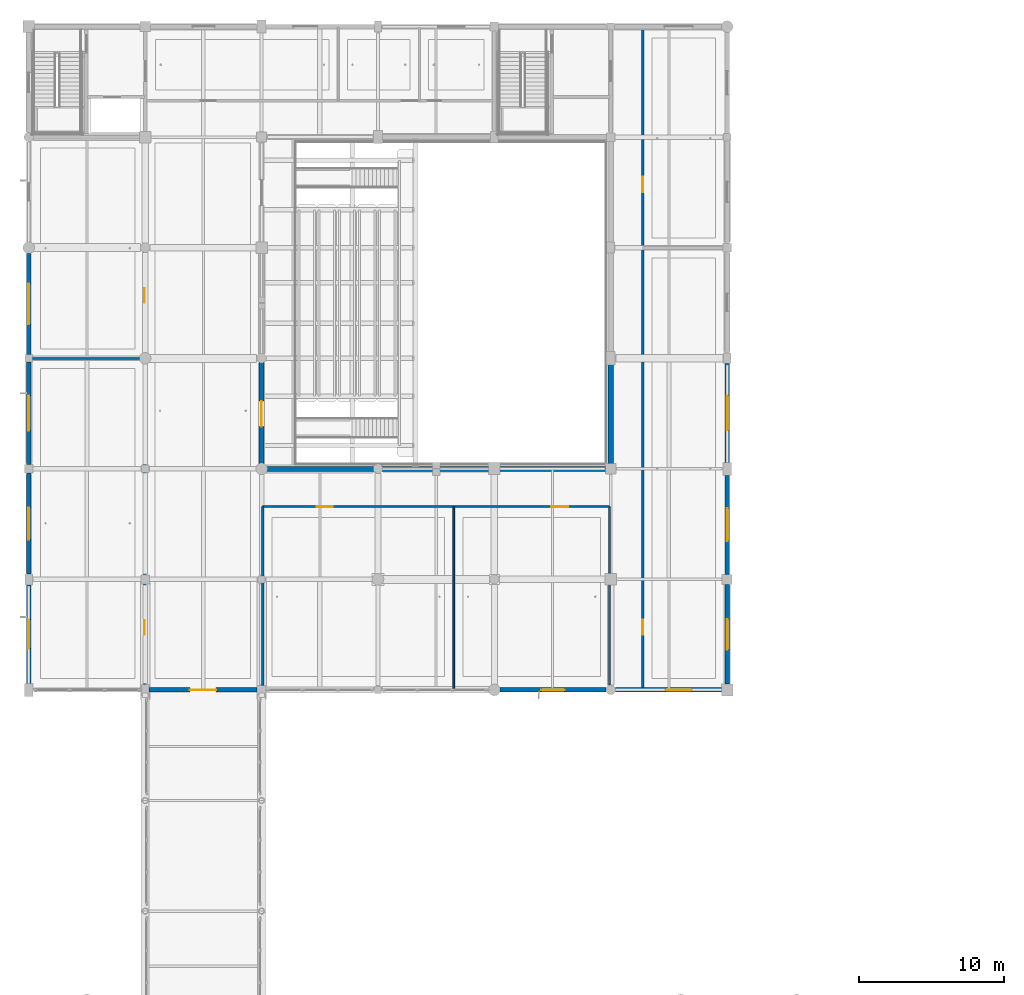
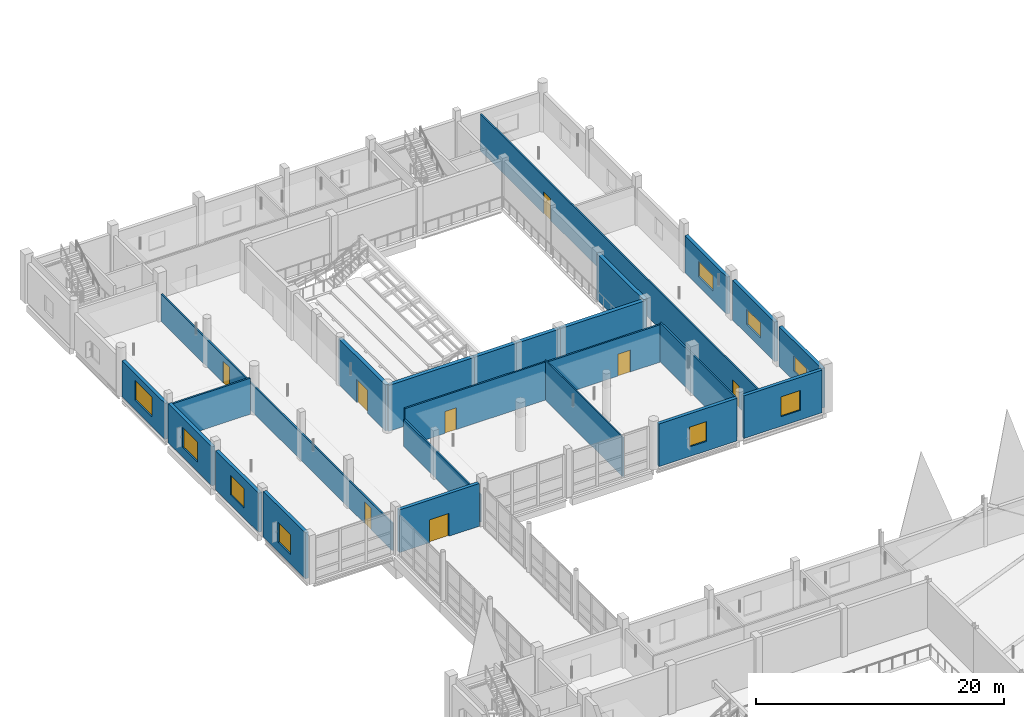
# One storey, part 89 of 147: 23 walls, 9 windows, 8 doors, 17 openings.
"""IFC4 building model written with IfcOpenShell, lengths in metres."""

from ifc_helpers import new_model, si_unit, direction, frame, frame_2d, origin, place, context, subcontext, project, spatial, rectangle, extrude, material, layer, layer_set, type_object, element, fill, save


model = new_model("IFC4")

# Units and contexts
model_context = context("Model", 3, precision=1e-05, world=origin(), true_north=direction((0.0, 1.0)))
body_context = subcontext(model_context, "Body", "Model", "MODEL_VIEW")
ifc_project = project(units=[si_unit("LENGTHUNIT", "METRE"), si_unit("AREAUNIT", "SQUARE_METRE"), si_unit("VOLUMEUNIT", "CUBIC_METRE"), si_unit("PLANEANGLEUNIT", "RADIAN"), si_unit("MASSUNIT", "GRAM", prefix="KILO")], contexts=[model_context])

# Site, building, storey
site_placement = place(None, origin())
site = spatial("IfcSite", under=ifc_project, at=site_placement, CompositionType="ELEMENT")
building_placement = place(site_placement, origin())
building = spatial("IfcBuilding", under=site, at=building_placement, Name="Khelvaren Railside Concert Hall", CompositionType="ELEMENT")
storey_placement = place(building_placement, frame((0.0, 0.0, 5.39990234375)))
storey = spatial("IfcBuildingStorey", under=building, at=storey_placement, Name="L01", CompositionType="ELEMENT", Elevation=5.39990234375)

# Wall, opening, door
ifc_material_1 = material(Name="Board-marked architectural concrete C40/50", Category="concrete")
ifc_layer_1 = layer(ifc_material_1, 0.31005859375)
ifc_layer_set_1 = layer_set([ifc_layer_1], Name="Board-marked architectural concrete C40/50")
wall_type_1 = type_object("IfcWallType", Name="EW33", PredefinedType="SOLIDWALL", material=ifc_layer_set_1)
wall_1_placement = place(storey_placement, frame((15.699951171875, 68.39990234375, 0.0), z_axis=(0.0, 0.0, 1.0), x_axis=(-1.0, 0.0, 0.0)))
wall_1 = element("IfcWall", 1, at=wall_1_placement, inside=storey, type_object=wall_type_1, Name="V4 L01 Bridge Portal Wall S", PredefinedType="SOLIDWALL", context=body_context, shape_type="SweptSolid", body=[
    extrude(rectangle(XDim=7.449951171875, YDim=0.31005859375, at=frame_2d((3.72509765625, 0.0))), origin(), (0.0, 0.0, 1.0), 4.2001953125),
])
opening_1_placement = place(wall_1_placement, frame((2.824951171875, 0.0, 0.0)))
opening_1 = element("IfcOpeningElement", 2, at=opening_1_placement, cuts=wall_1, Name="Opening DR64", PredefinedType="OPENING", context=body_context, shape_type="SweptSolid", body=[
    extrude(rectangle(XDim=1.800048828125, YDim=2.25, at=frame_2d((0.89990234375, 1.125))), frame((0.0, 0.1650390625, 0.0), z_axis=(0.0, -1.0, 0.0), x_axis=(1.0, 0.0, 0.0)), (0.0, 0.0, 1.0), 0.330078125),
])
ifc_material_2 = material(Name="Glazed fire-rated steel frame door", Category="steel")
door_type_1 = type_object("IfcDoorType", Name="DR64", OperationType="DOUBLE_DOOR_SINGLE_SWING", PredefinedType="DOOR", material=ifc_material_2)
door_1_placement = place(opening_1_placement, origin())
door_1 = element("IfcDoor", 3, at=door_1_placement, inside=storey, type_object=door_type_1, Name="V4 L01 Link Bridge Portal Door", OperationType="DOUBLE_DOOR_SINGLE_SWING", OverallHeight=2.25, OverallWidth=1.800048828125, PredefinedType="DOOR", context=body_context, shape_type="SweptSolid", body=[
    extrude(rectangle(XDim=1.800048828125, YDim=2.25, at=frame_2d((0.89990234375, 1.125))), frame((0.0, 0.02490234375, 0.0), z_axis=(0.0, -1.0, 0.0), x_axis=(1.0, 0.0, 0.0)), (0.0, 0.0, 1.0), 0.050048828125),
])
fill(opening_1, door_1)

# Wall, opening, window
wall_2_placement = place(storey_placement, frame((39.675048828125, 68.39990234375, 0.0), z_axis=(0.0, 0.0, 1.0), x_axis=(-1.0, 0.0, 0.0)))
wall_2 = element("IfcWall", 4, at=wall_2_placement, inside=storey, type_object=wall_type_1, Name="V4 L01 Exterior Concrete Wall S-32", PredefinedType="SOLIDWALL", context=body_context, shape_type="SweptSolid", body=[
    extrude(rectangle(XDim=7.275146484375, YDim=0.31005859375, at=frame_2d((3.6376953125, 0.0))), origin(), (0.0, 0.0, 1.0), 4.2001953125),
])
opening_2_placement = place(wall_2_placement, frame((2.83740234375, 0.0, 0.949951171875)))
opening_2 = element("IfcOpeningElement", 5, at=opening_2_placement, cuts=wall_2, Name="Opening WN94", PredefinedType="OPENING", context=body_context, shape_type="SweptSolid", body=[
    extrude(rectangle(XDim=1.60009765625, YDim=1.949951171875, at=frame_2d((0.800048828125, 0.97509765625))), frame((0.0, 0.1650390625, 0.0), z_axis=(0.0, -1.0, 0.0), x_axis=(1.0, 0.0, 0.0)), (0.0, 0.0, 1.0), 0.330078125),
])
ifc_material_3 = material(Name="Triple-glazed acoustic aluminium window", Category="aluminium")
window_type_1 = type_object("IfcWindowType", Name="WN94", PartitioningType="SINGLE_PANEL", PredefinedType="WINDOW", material=ifc_material_3)
window_1_placement = place(opening_2_placement, origin())
window_1 = element("IfcWindow", 6, at=window_1_placement, inside=storey, type_object=window_type_1, Name="Acoustic Facade Window EW-V4-L01-S-32", OverallHeight=1.949951171875, OverallWidth=1.60009765625, PartitioningType="SINGLE_PANEL", PredefinedType="WINDOW", context=body_context, shape_type="SweptSolid", body=[
    extrude(rectangle(XDim=1.60009765625, YDim=1.949951171875, at=frame_2d((0.800048828125, 0.97509765625))), frame((0.0, 0.030029296875, 0.0), z_axis=(0.0, -1.0, 0.0), x_axis=(1.0, 0.0, 0.0)), (0.0, 0.0, 1.0), 0.06005859375),
])
fill(opening_2, window_1)

wall_3_placement = place(storey_placement, frame((47.60009765625, 68.39990234375, 0.0), z_axis=(0.0, 0.0, 1.0), x_axis=(-1.0, 0.0, 0.0)))
wall_3 = element("IfcWall", 7, at=wall_3_placement, inside=storey, type_object=wall_type_1, Name="V4 L01 Exterior Concrete Wall S-40", PredefinedType="SOLIDWALL", context=body_context, shape_type="SweptSolid", body=[
    extrude(rectangle(XDim=7.275146484375, YDim=0.31005859375, at=frame_2d((3.6376953125, 0.0))), origin(), (0.0, 0.0, 1.0), 4.2001953125),
])
opening_3_placement = place(wall_3_placement, frame((2.02490234375, 0.0, 0.949951171875)))
opening_3 = element("IfcOpeningElement", 8, at=opening_3_placement, cuts=wall_3, Name="Opening WN45", PredefinedType="OPENING", context=body_context, shape_type="SweptSolid", body=[
    extrude(rectangle(XDim=1.800048828125, YDim=1.949951171875, at=frame_2d((0.89990234375, 0.97509765625))), frame((0.0, 0.1650390625, 0.0), z_axis=(0.0, -1.0, 0.0), x_axis=(1.0, 0.0, 0.0)), (0.0, 0.0, 1.0), 0.330078125),
])
window_type_2 = type_object("IfcWindowType", Name="WN45", PartitioningType="DOUBLE_PANEL_VERTICAL", PredefinedType="WINDOW", material=ifc_material_3)
window_2_placement = place(opening_3_placement, origin())
window_2 = element("IfcWindow", 9, at=window_2_placement, inside=storey, type_object=window_type_2, Name="Acoustic Facade Window EW-V4-L01-S-40", OverallHeight=1.949951171875, OverallWidth=1.800048828125, PartitioningType="DOUBLE_PANEL_VERTICAL", PredefinedType="WINDOW", context=body_context, shape_type="SweptSolid", body=[
    extrude(rectangle(XDim=1.800048828125, YDim=1.949951171875, at=frame_2d((0.89990234375, 0.97509765625))), frame((0.0, 0.030029296875, 0.0), z_axis=(0.0, -1.0, 0.0), x_axis=(1.0, 0.0, 0.0)), (0.0, 0.0, 1.0), 0.06005859375),
])
fill(opening_3, window_2)

wall_4_placement = place(storey_placement, frame((0.0, 68.85009765625, 0.0), z_axis=(0.0, 0.0, 1.0), x_axis=(0.0, 1.0, 0.0)))
wall_4 = element("IfcWall", 10, at=wall_4_placement, inside=storey, type_object=wall_type_1, Name="V4 L01 Exterior Concrete Wall W-68", PredefinedType="SOLIDWALL", context=body_context, shape_type="SweptSolid", body=[
    extrude(rectangle(XDim=6.77490234375, YDim=0.31005859375, at=frame_2d((3.387451171875, 0.0))), origin(), (0.0, 0.0, 1.0), 4.510009765625),
])
opening_4_placement = place(wall_4_placement, frame((2.387451171875, 0.0, 0.949951171875)))
opening_4 = element("IfcOpeningElement", 11, at=opening_4_placement, cuts=wall_4, Name="Opening WN46", PredefinedType="OPENING", context=body_context, shape_type="SweptSolid", body=[
    extrude(rectangle(XDim=2.0, YDim=1.949951171875, at=frame_2d((1.0, 0.97509765625))), frame((0.0, 0.1650390625, 0.0), z_axis=(0.0, -1.0, 0.0), x_axis=(1.0, 0.0, 0.0)), (0.0, 0.0, 1.0), 0.330078125),
])
window_type_3 = type_object("IfcWindowType", Name="WN46", PartitioningType="DOUBLE_PANEL_VERTICAL", PredefinedType="WINDOW", material=ifc_material_3)
window_3_placement = place(opening_4_placement, origin())
window_3 = element("IfcWindow", 12, at=window_3_placement, inside=storey, type_object=window_type_3, Name="Acoustic Facade Window EW-V4-L01-W-68", OverallHeight=1.949951171875, OverallWidth=2.0, PartitioningType="DOUBLE_PANEL_VERTICAL", PredefinedType="WINDOW", context=body_context, shape_type="SweptSolid", body=[
    extrude(rectangle(XDim=2.0, YDim=1.949951171875, at=frame_2d((1.0, 0.97509765625))), frame((0.0, 0.030029296875, 0.0), z_axis=(0.0, -1.0, 0.0), x_axis=(1.0, 0.0, 0.0)), (0.0, 0.0, 1.0), 0.06005859375),
])
fill(opening_4, window_3)

wall_5_placement = place(storey_placement, frame((0.0, 76.375, 0.0), z_axis=(0.0, 0.0, 1.0), x_axis=(0.0, 1.0, 0.0)))
wall_5 = element("IfcWall", 13, at=wall_5_placement, inside=storey, type_object=wall_type_1, Name="V4 L01 Exterior Concrete Wall W-76", PredefinedType="SOLIDWALL", context=body_context, shape_type="SweptSolid", body=[
    extrude(rectangle(XDim=6.925048828125, YDim=0.31005859375, at=frame_2d((3.46240234375, 0.0))), origin(), (0.0, 0.0, 1.0), 3.85009765625),
])
opening_5_placement = place(wall_5_placement, frame((2.362548828125, 0.0, 0.949951171875)))
opening_5 = element("IfcOpeningElement", 14, at=opening_5_placement, cuts=wall_5, Name="Opening WN17", PredefinedType="OPENING", context=body_context, shape_type="SweptSolid", body=[
    extrude(rectangle(XDim=2.199951171875, YDim=1.949951171875, at=frame_2d((1.10009765625, 0.97509765625))), frame((0.0, 0.1650390625, 0.0), z_axis=(0.0, -1.0, 0.0), x_axis=(1.0, 0.0, 0.0)), (0.0, 0.0, 1.0), 0.330078125),
])
window_type_4 = type_object("IfcWindowType", Name="WN17", PartitioningType="DOUBLE_PANEL_VERTICAL", PredefinedType="WINDOW", material=ifc_material_3)
window_4_placement = place(opening_5_placement, origin())
window_4 = element("IfcWindow", 15, at=window_4_placement, inside=storey, type_object=window_type_4, Name="Acoustic Facade Window EW-V4-L01-W-76", OverallHeight=1.949951171875, OverallWidth=2.199951171875, PartitioningType="DOUBLE_PANEL_VERTICAL", PredefinedType="WINDOW", context=body_context, shape_type="SweptSolid", body=[
    extrude(rectangle(XDim=2.199951171875, YDim=1.949951171875, at=frame_2d((1.10009765625, 0.97509765625))), frame((0.0, 0.030029296875, 0.0), z_axis=(0.0, -1.0, 0.0), x_axis=(1.0, 0.0, 0.0)), (0.0, 0.0, 1.0), 0.06005859375),
])
fill(opening_5, window_4)

wall_6_placement = place(storey_placement, frame((0.0, 83.89990234375, 0.0), z_axis=(0.0, 0.0, 1.0), x_axis=(0.0, 1.0, 0.0)))
wall_6 = element("IfcWall", 16, at=wall_6_placement, inside=storey, type_object=wall_type_1, Name="V4 L01 Exterior Concrete Wall W-84", PredefinedType="SOLIDWALL", context=body_context, shape_type="SweptSolid", body=[
    extrude(rectangle(XDim=7.050048828125, YDim=0.31005859375, at=frame_2d((3.52490234375, 0.0))), origin(), (0.0, 0.0, 1.0), 3.85009765625),
])
opening_6_placement = place(wall_6_placement, frame((2.324951171875, 0.0, 0.949951171875)))
opening_6 = element("IfcOpeningElement", 17, at=opening_6_placement, cuts=wall_6, Name="Opening WN77", PredefinedType="OPENING", context=body_context, shape_type="SweptSolid", body=[
    extrude(rectangle(XDim=2.39990234375, YDim=1.949951171875, at=frame_2d((1.199951171875, 0.97509765625))), frame((0.0, 0.1650390625, 0.0), z_axis=(0.0, -1.0, 0.0), x_axis=(1.0, 0.0, 0.0)), (0.0, 0.0, 1.0), 0.330078125),
])
window_type_5 = type_object("IfcWindowType", Name="WN77", PartitioningType="DOUBLE_PANEL_VERTICAL", PredefinedType="WINDOW", material=ifc_material_3)
window_5_placement = place(opening_6_placement, origin())
window_5 = element("IfcWindow", 18, at=window_5_placement, inside=storey, type_object=window_type_5, Name="Acoustic Facade Window EW-V4-L01-W-84", OverallHeight=1.949951171875, OverallWidth=2.39990234375, PartitioningType="DOUBLE_PANEL_VERTICAL", PredefinedType="WINDOW", context=body_context, shape_type="SweptSolid", body=[
    extrude(rectangle(XDim=2.39990234375, YDim=1.949951171875, at=frame_2d((1.199951171875, 0.97509765625))), frame((0.0, 0.030029296875, 0.0), z_axis=(0.0, -1.0, 0.0), x_axis=(1.0, 0.0, 0.0)), (0.0, 0.0, 1.0), 0.06005859375),
])
fill(opening_6, window_5)

wall_7_placement = place(storey_placement, frame((0.0, 91.449951171875, 0.0), z_axis=(0.0, 0.0, 1.0), x_axis=(0.0, 1.0, 0.0)))
wall_7 = element("IfcWall", 19, at=wall_7_placement, inside=storey, type_object=wall_type_1, Name="V4 L01 Exterior Concrete Wall W-91", PredefinedType="SOLIDWALL", context=body_context, shape_type="SweptSolid", body=[
    extrude(rectangle(XDim=6.949951171875, YDim=0.31005859375, at=frame_2d((3.47509765625, 0.0))), origin(), (0.0, 0.0, 1.0), 3.550048828125),
])
opening_7_placement = place(wall_7_placement, frame((2.074951171875, 0.0, 0.949951171875)))
opening_7 = element("IfcOpeningElement", 20, at=opening_7_placement, cuts=wall_7, Name="Opening WN18", PredefinedType="OPENING", context=body_context, shape_type="SweptSolid", body=[
    extrude(rectangle(XDim=2.800048828125, YDim=1.949951171875, at=frame_2d((1.39990234375, 0.97509765625))), frame((0.0, 0.1650390625, 0.0), z_axis=(0.0, -1.0, 0.0), x_axis=(1.0, 0.0, 0.0)), (0.0, 0.0, 1.0), 0.330078125),
])
window_type_6 = type_object("IfcWindowType", Name="WN18", PartitioningType="DOUBLE_PANEL_VERTICAL", PredefinedType="WINDOW", material=ifc_material_3)
window_6_placement = place(opening_7_placement, origin())
window_6 = element("IfcWindow", 21, at=window_6_placement, inside=storey, type_object=window_type_6, Name="Acoustic Facade Window EW-V4-L01-W-91", OverallHeight=1.949951171875, OverallWidth=2.800048828125, PartitioningType="DOUBLE_PANEL_VERTICAL", PredefinedType="WINDOW", context=body_context, shape_type="SweptSolid", body=[
    extrude(rectangle(XDim=2.800048828125, YDim=1.949951171875, at=frame_2d((1.39990234375, 0.97509765625))), frame((0.0, 0.030029296875, 0.0), z_axis=(0.0, -1.0, 0.0), x_axis=(1.0, 0.0, 0.0)), (0.0, 0.0, 1.0), 0.06005859375),
])
fill(opening_7, window_6)

wall_8_placement = place(storey_placement, frame((48.0, 75.64990234375, 0.0), z_axis=(0.0, 0.0, 1.0), x_axis=(0.0, -1.0, 0.0)))
wall_8 = element("IfcWall", 22, at=wall_8_placement, inside=storey, type_object=wall_type_1, Name="V4 L01 Exterior Concrete Wall E-68", PredefinedType="SOLIDWALL", context=body_context, shape_type="SweptSolid", body=[
    extrude(rectangle(XDim=6.849853515625, YDim=0.31005859375, at=frame_2d((3.4248046875, 0.0))), origin(), (0.0, 0.0, 1.0), 3.900146484375),
])
opening_8_placement = place(wall_8_placement, frame((2.375, 0.0, 0.949951171875)))
opening_8 = element("IfcOpeningElement", 23, at=opening_8_placement, cuts=wall_8, Name="Opening WN75", PredefinedType="OPENING", context=body_context, shape_type="SweptSolid", body=[
    extrude(rectangle(XDim=2.10009765625, YDim=1.5, at=frame_2d((1.050048828125, 0.75))), frame((0.0, 0.1650390625, 0.0), z_axis=(0.0, -1.0, 0.0), x_axis=(1.0, 0.0, 0.0)), (0.0, 0.0, 1.0), 0.330078125),
])
window_type_7 = type_object("IfcWindowType", Name="WN75", PartitioningType="DOUBLE_PANEL_VERTICAL", PredefinedType="WINDOW", material=ifc_material_3)
window_7_placement = place(opening_8_placement, origin())
window_7 = element("IfcWindow", 24, at=window_7_placement, inside=storey, type_object=window_type_7, Name="Acoustic Facade Window EW-V4-L01-E-68", OverallHeight=1.5, OverallWidth=2.10009765625, PartitioningType="DOUBLE_PANEL_VERTICAL", PredefinedType="WINDOW", context=body_context, shape_type="SweptSolid", body=[
    extrude(rectangle(XDim=2.10009765625, YDim=1.5, at=frame_2d((1.050048828125, 0.75))), frame((0.0, 0.030029296875, 0.0), z_axis=(0.0, -1.0, 0.0), x_axis=(1.0, 0.0, 0.0)), (0.0, 0.0, 1.0), 0.06005859375),
])
fill(opening_8, window_7)

wall_9_placement = place(storey_placement, frame((48.0, 83.14990234375, 0.0), z_axis=(0.0, 0.0, 1.0), x_axis=(0.0, -1.0, 0.0)))
wall_9 = element("IfcWall", 25, at=wall_9_placement, inside=storey, type_object=wall_type_1, Name="V4 L01 Exterior Concrete Wall E-76", PredefinedType="SOLIDWALL", context=body_context, shape_type="SweptSolid", body=[
    extrude(rectangle(XDim=6.7998046875, YDim=0.31005859375, at=frame_2d((3.39990234375, 0.0))), origin(), (0.0, 0.0, 1.0), 3.900146484375),
])
opening_9_placement = place(wall_9_placement, frame((2.27490234375, 0.0, 0.949951171875)))
opening_9 = element("IfcOpeningElement", 26, at=opening_9_placement, cuts=wall_9, Name="Opening WN30", PredefinedType="OPENING", context=body_context, shape_type="SweptSolid", body=[
    extrude(rectangle(XDim=2.25, YDim=1.5, at=frame_2d((1.125, 0.75))), frame((0.0, 0.1650390625, 0.0), z_axis=(0.0, -1.0, 0.0), x_axis=(1.0, 0.0, 0.0)), (0.0, 0.0, 1.0), 0.330078125),
])
window_type_8 = type_object("IfcWindowType", Name="WN30", PartitioningType="DOUBLE_PANEL_VERTICAL", PredefinedType="WINDOW", material=ifc_material_3)
window_8_placement = place(opening_9_placement, origin())
window_8 = element("IfcWindow", 27, at=window_8_placement, inside=storey, type_object=window_type_8, Name="Acoustic Facade Window EW-V4-L01-E-76", OverallHeight=1.5, OverallWidth=2.25, PartitioningType="DOUBLE_PANEL_VERTICAL", PredefinedType="WINDOW", context=body_context, shape_type="SweptSolid", body=[
    extrude(rectangle(XDim=2.25, YDim=1.5, at=frame_2d((1.125, 0.75))), frame((0.0, 0.030029296875, 0.0), z_axis=(0.0, -1.0, 0.0), x_axis=(1.0, 0.0, 0.0)), (0.0, 0.0, 1.0), 0.06005859375),
])
fill(opening_9, window_8)

wall_10_placement = place(storey_placement, frame((48.0, 90.824951171875, 0.0), z_axis=(0.0, 0.0, 1.0), x_axis=(0.0, -1.0, 0.0)))
wall_10 = element("IfcWall", 28, at=wall_10_placement, inside=storey, type_object=wall_type_1, Name="V4 L01 Exterior Concrete Wall E-84", PredefinedType="SOLIDWALL", context=body_context, shape_type="SweptSolid", body=[
    extrude(rectangle(XDim=6.77490234375, YDim=0.31005859375, at=frame_2d((3.387451171875, 0.0))), origin(), (0.0, 0.0, 1.0), 3.650146484375),
])
opening_10_placement = place(wall_10_placement, frame((2.1875, 0.0, 0.949951171875)))
opening_10 = element("IfcOpeningElement", 29, at=opening_10_placement, cuts=wall_10, Name="Opening WN26", PredefinedType="OPENING", context=body_context, shape_type="SweptSolid", body=[
    extrude(rectangle(XDim=2.39990234375, YDim=1.5, at=frame_2d((1.199951171875, 0.75))), frame((0.0, 0.1650390625, 0.0), z_axis=(0.0, -1.0, 0.0), x_axis=(1.0, 0.0, 0.0)), (0.0, 0.0, 1.0), 0.330078125),
])
window_type_9 = type_object("IfcWindowType", Name="WN26", PartitioningType="DOUBLE_PANEL_VERTICAL", PredefinedType="WINDOW", material=ifc_material_3)
window_9_placement = place(opening_10_placement, origin())
window_9 = element("IfcWindow", 30, at=window_9_placement, inside=storey, type_object=window_type_9, Name="Acoustic Facade Window EW-V4-L01-E-84", OverallHeight=1.5, OverallWidth=2.39990234375, PartitioningType="DOUBLE_PANEL_VERTICAL", PredefinedType="WINDOW", context=body_context, shape_type="SweptSolid", body=[
    extrude(rectangle(XDim=2.39990234375, YDim=1.5, at=frame_2d((1.199951171875, 0.75))), frame((0.0, 0.030029296875, 0.0), z_axis=(0.0, -1.0, 0.0), x_axis=(1.0, 0.0, 0.0)), (0.0, 0.0, 1.0), 0.06005859375),
])
fill(opening_10, window_9)

# Wall, openings, doors
ifc_material_4 = material(Name="Acoustic double-stud gypsum partition", Category="gypsum")
ifc_layer_2 = layer(ifc_material_4, 0.139892578125)
ifc_layer_set_2 = layer_set([ifc_layer_2], Name="Acoustic double-stud gypsum partition")
wall_type_2 = type_object("IfcWallType", Name="PT55", PredefinedType="PARTITIONING", material=ifc_layer_set_2)
wall_11_placement = place(storey_placement, frame((42.199951171875, 68.47998046875, 0.0), z_axis=(0.0, 0.0, 1.0), x_axis=(0.0, 1.0, 0.0)))
wall_11 = element("IfcWall", 31, at=wall_11_placement, inside=storey, type_object=wall_type_2, Name="Acoustic Partition Wall PW-V4-L01-EB-W", PredefinedType="PARTITIONING", context=body_context, shape_type="SweptSolid", body=[
    extrude(rectangle(XDim=45.43994140625, YDim=0.139892578125, at=frame_2d((22.719970703125, 0.0))), origin(), (0.0, 0.0, 1.0), 3.635009765625),
])
opening_11_placement = place(wall_11_placement, frame((3.719970703125, 0.0, 0.0)))
opening_11 = element("IfcOpeningElement", 32, at=opening_11_placement, cuts=wall_11, Name="Opening IDR24", PredefinedType="OPENING", context=body_context, shape_type="SweptSolid", body=[
    extrude(rectangle(XDim=1.0400390625, YDim=2.14990234375, at=frame_2d((0.52001953125, 1.074951171875))), frame((0.0, 0.079833984375, 0.0), z_axis=(0.0, -1.0, 0.0), x_axis=(1.0, 0.0, 0.0)), (0.0, 0.0, 1.0), 0.159912109375),
])
opening_12_placement = place(wall_11_placement, frame((34.1201171875, 0.0, 0.0)))
opening_12 = element("IfcOpeningElement", 33, at=opening_12_placement, cuts=wall_11, Name="Opening IDR62", PredefinedType="OPENING", context=body_context, shape_type="SweptSolid", body=[
    extrude(rectangle(XDim=1.070068359375, YDim=2.14990234375, at=frame_2d((0.53515625, 1.074951171875))), frame((0.0, 0.079833984375, 0.0), z_axis=(0.0, -1.0, 0.0), x_axis=(1.0, 0.0, 0.0)), (0.0, 0.0, 1.0), 0.159912109375),
])
ifc_material_5 = material(Name="Solid oak acoustic studio door", Category="wood")
door_type_2 = type_object("IfcDoorType", Name="IDR24", OperationType="NOTDEFINED", PredefinedType="DOOR", material=ifc_material_5)
door_2_placement = place(opening_11_placement, origin())
door_2 = element("IfcDoor", 34, at=door_2_placement, inside=storey, type_object=door_type_2, Name="Interior Door DR-V4-L01-EB-01", OperationType="SINGLE_SWING_LEFT", OverallHeight=2.14990234375, OverallWidth=1.0400390625, PredefinedType="DOOR", context=body_context, shape_type="SweptSolid", body=[
    extrude(rectangle(XDim=1.0400390625, YDim=2.14990234375, at=frame_2d((0.52001953125, 1.074951171875))), frame((0.0, 0.02490234375, 0.0), z_axis=(0.0, -1.0, 0.0), x_axis=(1.0, 0.0, 0.0)), (0.0, 0.0, 1.0), 0.050048828125),
])
fill(opening_11, door_2)
door_type_3 = type_object("IfcDoorType", Name="IDR62", OperationType="NOTDEFINED", PredefinedType="DOOR", material=ifc_material_5)
door_3_placement = place(opening_12_placement, origin())
door_3 = element("IfcDoor", 35, at=door_3_placement, inside=storey, type_object=door_type_3, Name="Interior Door DR-V4-L01-EB-02", OperationType="SINGLE_SWING_RIGHT", OverallHeight=2.14990234375, OverallWidth=1.070068359375, PredefinedType="DOOR", context=body_context, shape_type="SweptSolid", body=[
    extrude(rectangle(XDim=1.070068359375, YDim=2.14990234375, at=frame_2d((0.53515625, 1.074951171875))), frame((0.0, 0.02490234375, 0.0), z_axis=(0.0, -1.0, 0.0), x_axis=(1.0, 0.0, 0.0)), (0.0, 0.0, 1.0), 0.050048828125),
])
fill(opening_12, door_3)

ifc_layer_3 = layer(ifc_material_4, 0.14990234375)
ifc_layer_set_3 = layer_set([ifc_layer_3], Name="Acoustic double-stud gypsum partition")
wall_type_3 = type_object("IfcWallType", Name="PT72", PredefinedType="PARTITIONING", material=ifc_layer_set_3)
wall_12_placement = place(storey_placement, frame((7.949951171875, 68.77490234375, 0.0), z_axis=(0.0, 0.0, 1.0), x_axis=(0.0, 1.0, 0.0)))
wall_12 = element("IfcWall", 36, at=wall_12_placement, inside=storey, type_object=wall_type_3, Name="Acoustic Partition Wall PW-V4-L01-WB-E", PredefinedType="PARTITIONING", context=body_context, shape_type="SweptSolid", body=[
    extrude(rectangle(XDim=37.22509765625, YDim=0.14990234375, at=frame_2d((18.612548828125, 0.0))), origin(), (0.0, 0.0, 1.0), 2.690185546875),
])
opening_13_placement = place(wall_12_placement, frame((3.425048828125, 0.0, 0.0)))
opening_13 = element("IfcOpeningElement", 37, at=opening_13_placement, cuts=wall_12, Name="Opening IDR67", PredefinedType="OPENING", context=body_context, shape_type="SweptSolid", body=[
    extrude(rectangle(XDim=0.97998046875, YDim=2.14990234375, at=frame_2d((0.489990234375, 1.074951171875))), frame((0.0, 0.0849609375, 0.0), z_axis=(0.0, -1.0, 0.0), x_axis=(1.0, 0.0, 0.0)), (0.0, 0.0, 1.0), 0.169921875),
])
opening_14_placement = place(wall_12_placement, frame((26.22509765625, 0.0, 0.0)))
opening_14 = element("IfcOpeningElement", 38, at=opening_14_placement, cuts=wall_12, Name="Opening IDR26", PredefinedType="OPENING", context=body_context, shape_type="SweptSolid", body=[
    extrude(rectangle(XDim=1.010009765625, YDim=2.14990234375, at=frame_2d((0.5048828125, 1.074951171875))), frame((0.0, 0.0849609375, 0.0), z_axis=(0.0, -1.0, 0.0), x_axis=(1.0, 0.0, 0.0)), (0.0, 0.0, 1.0), 0.169921875),
])
door_type_4 = type_object("IfcDoorType", Name="IDR26", OperationType="NOTDEFINED", PredefinedType="DOOR", material=ifc_material_5)
door_4_placement = place(opening_14_placement, origin())
door_4 = element("IfcDoor", 39, at=door_4_placement, inside=storey, type_object=door_type_4, Name="Interior Door DR-V4-L01-WB-02", OperationType="SINGLE_SWING_RIGHT", OverallHeight=2.14990234375, OverallWidth=1.010009765625, PredefinedType="DOOR", context=body_context, shape_type="SweptSolid", body=[
    extrude(rectangle(XDim=1.010009765625, YDim=2.14990234375, at=frame_2d((0.5048828125, 1.074951171875))), frame((0.0, 0.02490234375, 0.0), z_axis=(0.0, -1.0, 0.0), x_axis=(1.0, 0.0, 0.0)), (0.0, 0.0, 1.0), 0.050048828125),
])
fill(opening_14, door_4)
door_type_5 = type_object("IfcDoorType", Name="IDR67", OperationType="NOTDEFINED", PredefinedType="DOOR", material=ifc_material_5)
door_5_placement = place(opening_13_placement, origin())
door_5 = element("IfcDoor", 40, at=door_5_placement, inside=storey, type_object=door_type_5, Name="Interior Door DR-V4-L01-WB-01", OperationType="SINGLE_SWING_LEFT", OverallHeight=2.14990234375, OverallWidth=0.97998046875, PredefinedType="DOOR", context=body_context, shape_type="SweptSolid", body=[
    extrude(rectangle(XDim=0.97998046875, YDim=2.14990234375, at=frame_2d((0.489990234375, 1.074951171875))), frame((0.0, 0.02490234375, 0.0), z_axis=(0.0, -1.0, 0.0), x_axis=(1.0, 0.0, 0.0)), (0.0, 0.0, 1.0), 0.050048828125),
])
fill(opening_13, door_5)

# Wall, opening, door
wall_13_placement = place(storey_placement, frame((16.080078125, 81.0, 0.0), z_axis=(0.0, 0.0, 1.0), x_axis=(1.0, 0.0, 0.0)))
wall_13 = element("IfcWall", 41, at=wall_13_placement, inside=storey, type_object=wall_type_3, Name="Acoustic Partition Wall PW-V4-L01-SB-C01", PredefinedType="PARTITIONING", context=body_context, shape_type="SweptSolid", body=[
    extrude(rectangle(XDim=13.1318359375, YDim=0.14990234375, at=frame_2d((6.56591796875, 0.0))), origin(), (0.0, 0.0, 1.0), 3.735107421875),
])
opening_15_placement = place(wall_13_placement, frame((3.7275390625, 0.0, 0.0)))
opening_15 = element("IfcOpeningElement", 42, at=opening_15_placement, cuts=wall_13, Name="Opening IDR62", PredefinedType="OPENING", context=body_context, shape_type="SweptSolid", body=[
    extrude(rectangle(XDim=1.070068359375, YDim=2.14990234375, at=frame_2d((0.53515625, 1.074951171875))), frame((0.0, 0.0849609375, 0.0), z_axis=(0.0, -1.0, 0.0), x_axis=(1.0, 0.0, 0.0)), (0.0, 0.0, 1.0), 0.169921875),
])
door_6_placement = place(opening_15_placement, origin())
door_6 = element("IfcDoor", 43, at=door_6_placement, inside=storey, type_object=door_type_3, Name="Interior Door DR-V4-L01-SB-01", OperationType="SINGLE_SWING_LEFT", OverallHeight=2.14990234375, OverallWidth=1.070068359375, PredefinedType="DOOR", context=body_context, shape_type="SweptSolid", body=[
    extrude(rectangle(XDim=1.070068359375, YDim=2.14990234375, at=frame_2d((0.53515625, 1.074951171875))), frame((0.0, 0.02490234375, 0.0), z_axis=(0.0, -1.0, 0.0), x_axis=(1.0, 0.0, 0.0)), (0.0, 0.0, 1.0), 0.050048828125),
])
fill(opening_15, door_6)

wall_14_placement = place(storey_placement, frame((29.2119140625, 81.0, 0.0), z_axis=(0.0, 0.0, 1.0), x_axis=(1.0, 0.0, 0.0)))
wall_14 = element("IfcWall", 44, at=wall_14_placement, inside=storey, type_object=wall_type_3, Name="Acoustic Partition Wall PW-V4-L01-SB-C02", PredefinedType="PARTITIONING", context=body_context, shape_type="SweptSolid", body=[
    extrude(rectangle(XDim=10.7080078125, YDim=0.14990234375, at=frame_2d((5.35400390625, 0.0))), origin(), (0.0, 0.0, 1.0), 3.68505859375),
])
opening_16_placement = place(wall_14_placement, frame((6.70751953125, 0.0, 0.0)))
opening_16 = element("IfcOpeningElement", 45, at=opening_16_placement, cuts=wall_14, Name="Opening IDR73", PredefinedType="OPENING", context=body_context, shape_type="SweptSolid", body=[
    extrude(rectangle(XDim=1.14990234375, YDim=2.14990234375, at=frame_2d((0.574951171875, 1.074951171875))), frame((0.0, 0.0849609375, 0.0), z_axis=(0.0, -1.0, 0.0), x_axis=(1.0, 0.0, 0.0)), (0.0, 0.0, 1.0), 0.169921875),
])
door_type_6 = type_object("IfcDoorType", Name="IDR73", OperationType="NOTDEFINED", PredefinedType="DOOR", material=ifc_material_5)
door_7_placement = place(opening_16_placement, origin())
door_7 = element("IfcDoor", 46, at=door_7_placement, inside=storey, type_object=door_type_6, Name="Interior Door DR-V4-L01-SB-02", OperationType="SINGLE_SWING_RIGHT", OverallHeight=2.14990234375, OverallWidth=1.14990234375, PredefinedType="DOOR", context=body_context, shape_type="SweptSolid", body=[
    extrude(rectangle(XDim=1.14990234375, YDim=2.14990234375, at=frame_2d((0.574951171875, 1.074951171875))), frame((0.0, 0.02490234375, 0.0), z_axis=(0.0, -1.0, 0.0), x_axis=(1.0, 0.0, 0.0)), (0.0, 0.0, 1.0), 0.050048828125),
])
fill(opening_16, door_7)

# Walls
wall_15_placement = place(storey_placement, frame((16.080078125, 68.699951171875, 0.0), z_axis=(0.0, 0.0, 1.0), x_axis=(0.0, 1.0, 0.0)))
element("IfcWall", 47, at=wall_15_placement, inside=storey, type_object=wall_type_3, Name="Acoustic Partition Wall PW-V4-L01-SB-W0", PredefinedType="PARTITIONING", context=body_context, shape_type="SweptSolid", body=[
    extrude(rectangle(XDim=12.300048828125, YDim=0.14990234375, at=frame_2d((6.14990234375, 0.0))), origin(), (0.0, 0.0, 1.0), 2.690185546875),
])
wall_16_placement = place(storey_placement, frame((39.919921875, 68.72509765625, 0.0), z_axis=(0.0, 0.0, 1.0), x_axis=(0.0, 1.0, 0.0)))
element("IfcWall", 48, at=wall_16_placement, inside=storey, type_object=wall_type_3, Name="Acoustic Partition Wall PW-V4-L01-SB-E0", PredefinedType="PARTITIONING", context=body_context, shape_type="SweptSolid", body=[
    extrude(rectangle(XDim=12.27490234375, YDim=0.14990234375, at=frame_2d((6.137451171875, 0.0))), origin(), (0.0, 0.0, 1.0), 3.860107421875),
])
ifc_layer_4 = layer(ifc_material_4, 0.110107421875)
ifc_layer_set_4 = layer_set([ifc_layer_4], Name="Acoustic double-stud gypsum partition")
wall_type_4 = type_object("IfcWallType", Name="PT80", PredefinedType="PARTITIONING", material=ifc_layer_set_4)
wall_17_placement = place(storey_placement, frame((29.2119140625, 68.47998046875, 0.0), z_axis=(0.0, 0.0, 1.0), x_axis=(0.0, 1.0, 0.0)))
element("IfcWall", 49, at=wall_17_placement, inside=storey, type_object=wall_type_4, Name="Acoustic Partition Wall PW-V4-L01-SB-D01", PredefinedType="PARTITIONING", context=body_context, shape_type="SweptSolid", body=[
    extrude(rectangle(XDim=12.52001953125, YDim=0.110107421875, at=frame_2d((6.260009765625, 0.0))), origin(), (0.0, 0.0, 1.0), 3.905029296875),
])
ifc_layer_5 = layer(ifc_material_4, 0.159912109375)
ifc_layer_set_5 = layer_set([ifc_layer_5], Name="Acoustic double-stud gypsum partition")
wall_type_5 = type_object("IfcWallType", Name="PT97", PredefinedType="PARTITIONING", material=ifc_layer_set_5)
wall_18_placement = place(storey_placement, frame((0.25, 91.179931640625, 0.0), z_axis=(0.0, 0.0, 1.0), x_axis=(1.0, 0.0, 0.0)))
element("IfcWall", 50, at=wall_18_placement, inside=storey, type_object=wall_type_5, Name="Acoustic Partition Wall PW-V4-L01-WB-D01", PredefinedType="PARTITIONING", context=body_context, shape_type="SweptSolid", body=[
    extrude(rectangle(XDim=7.35009765625, YDim=0.159912109375, at=frame_2d((3.675048828125, 0.0))), origin(), (0.0, 0.0, 1.0), 3.550048828125),
])
ifc_material_6 = material(Name="Concrete C40/50", Category="concrete")
ifc_layer_6 = layer(ifc_material_6, 0.35009765625)
ifc_layer_set_6 = layer_set([ifc_layer_6], Name="Concrete C40/50")
wall_type_6 = type_object("IfcWallType", Name="SW91", PredefinedType="SHEAR", material=ifc_layer_set_6)
for number, where, z_axis, x_axis, name in (
    (51, (16.0, 83.60009765625, 0.0), (0.0, 0.0, 1.0), (1.0, 0.0, 0.0), "V4 Chamber Box Shear Wall L01 S1"),
    (52, (24.0, 83.60009765625, 0.0), (0.0, 0.0, 1.0), (1.0, 0.0, 0.0), "V4 Chamber Box Shear Wall L01 S2"),
    (53, (32.0, 83.60009765625, 0.0), (0.0, 0.0, 1.0), (1.0, 0.0, 0.0), "V4 Chamber Box Shear Wall L01 S3"),
):
    element("IfcWall", number, at=place(storey_placement, frame(where, z_axis=z_axis, x_axis=x_axis)), inside=storey, type_object=wall_type_6, Name=name, PredefinedType="SHEAR", context=body_context, shape_type="SweptSolid", body=[
        extrude(rectangle(XDim=8.0, YDim=0.35009765625, at=frame_2d((4.0, 0.0))), origin(), (0.0, 0.0, 1.0), 4.510009765625),
    ])

# Wall, opening, door
wall_19_placement = place(storey_placement, frame((16.0, 83.60009765625, 0.0), z_axis=(0.0, 0.0, 1.0), x_axis=(0.0, 1.0, 0.0)))
wall_19 = element("IfcWall", 54, at=wall_19_placement, inside=storey, type_object=wall_type_6, Name="V4 Chamber Box Shear Wall L01 W1", PredefinedType="SHEAR", context=body_context, shape_type="SweptSolid", body=[
    extrude(rectangle(XDim=7.599853515625, YDim=0.35009765625, at=frame_2d((3.7998046875, 0.0))), origin(), (0.0, 0.0, 1.0), 4.510009765625),
])
opening_17_placement = place(wall_19_placement, frame((2.89990234375, 0.0, 0.0)))
opening_17 = element("IfcOpeningElement", 55, at=opening_17_placement, cuts=wall_19, Name="Opening ADR83", PredefinedType="OPENING", context=body_context, shape_type="SweptSolid", body=[
    extrude(rectangle(XDim=1.75, YDim=2.25, at=frame_2d((0.875, 1.125))), frame((0.0, 0.18505859375, 0.0), z_axis=(0.0, -1.0, 0.0), x_axis=(1.0, 0.0, 0.0)), (0.0, 0.0, 1.0), 0.3701171875),
])
ifc_material_7 = material(Name="Heavy acoustic double sound-lock fire door", Category="wood")
door_type_7 = type_object("IfcDoorType", Name="ADR83", OperationType="DOUBLE_DOOR_SINGLE_SWING", PredefinedType="DOOR", material=ifc_material_7)
door_8_placement = place(opening_17_placement, origin())
door_8 = element("IfcDoor", 56, at=door_8_placement, inside=storey, type_object=door_type_7, Name="Chamber Music Hall Acoustic Sound-Lock Door L01-W1", OperationType="DOUBLE_DOOR_SINGLE_SWING", OverallHeight=2.25, OverallWidth=1.75, PredefinedType="DOOR", context=body_context, shape_type="SweptSolid", body=[
    extrude(rectangle(XDim=1.75, YDim=2.25, at=frame_2d((0.875, 1.125))), frame((0.0, 0.02490234375, 0.0), z_axis=(0.0, -1.0, 0.0), x_axis=(1.0, 0.0, 0.0)), (0.0, 0.0, 1.0), 0.050048828125),
])
fill(opening_17, door_8)

# Wall
wall_20_placement = place(storey_placement, frame((40.0, 83.60009765625, 0.0), z_axis=(0.0, 0.0, 1.0), x_axis=(0.0, 1.0, 0.0)))
element("IfcWall", 57, at=wall_20_placement, inside=storey, type_object=wall_type_6, Name="V4 Chamber Box Shear Wall L01 E1", PredefinedType="SHEAR", context=body_context, shape_type="SweptSolid", body=[
    extrude(rectangle(XDim=7.599853515625, YDim=0.35009765625, at=frame_2d((3.7998046875, 0.0))), origin(), (0.0, 0.0, 1.0), 4.510009765625),
])

save(model, "model.ifc")
